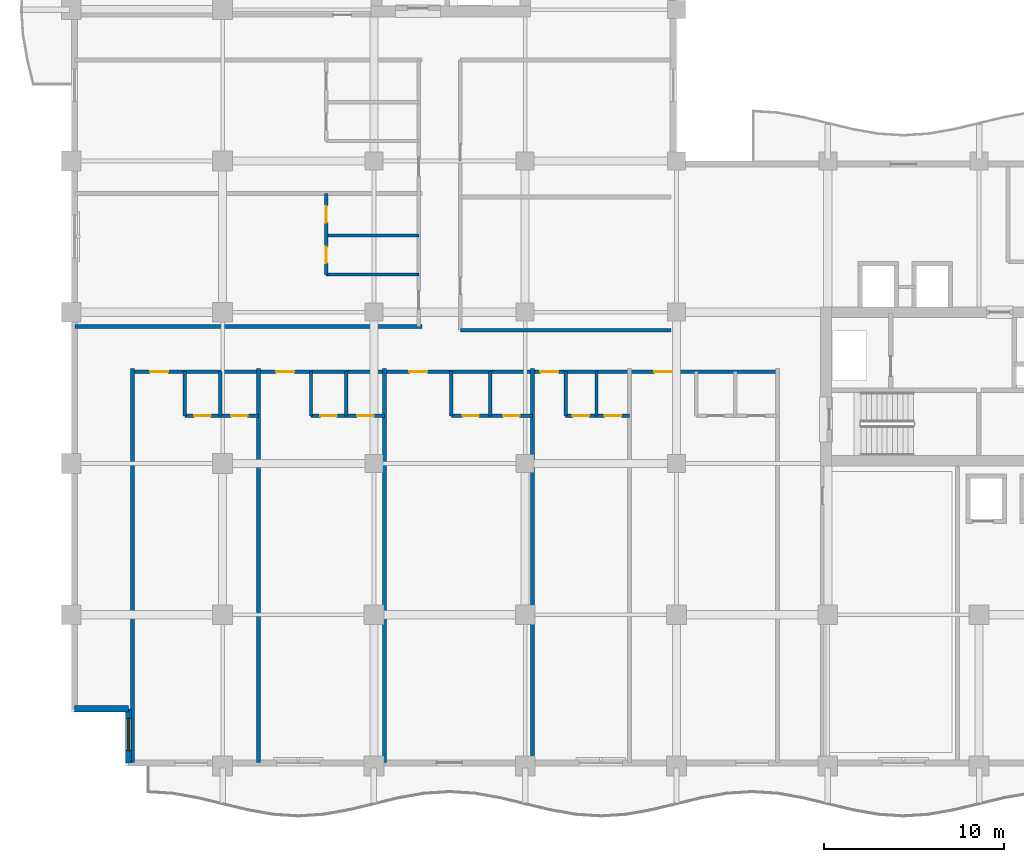
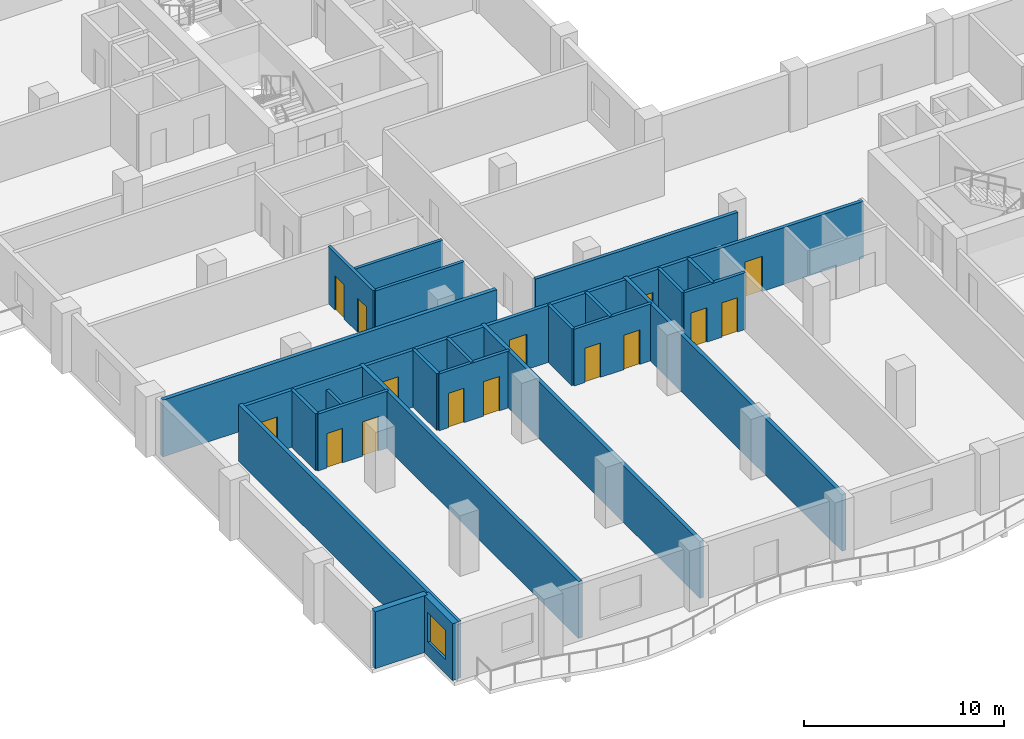
# One storey, part 9 of 21: 24 walls, 15 doors, 1 window, 16 openings.
"""IFC4 building model written with IfcOpenShell, lengths in metres."""

from ifc_helpers import new_model, si_unit, direction, frame, frame_2d, origin, place, context, subcontext, project, spatial, rectangle, extrude, material, layer, layer_set, type_object, element, fill, save


model = new_model("IFC4")

# Units and contexts
model_context = context("Model", 3, precision=1e-05, world=origin(), true_north=direction((0.0, 1.0)))
body_context = subcontext(model_context, "Body", "Model", "MODEL_VIEW")
ifc_project = project(units=[si_unit("LENGTHUNIT", "METRE"), si_unit("AREAUNIT", "SQUARE_METRE"), si_unit("VOLUMEUNIT", "CUBIC_METRE"), si_unit("PLANEANGLEUNIT", "RADIAN"), si_unit("MASSUNIT", "GRAM", prefix="KILO")], contexts=[model_context])

# Site, building, storey
site_placement = place(None, origin())
site = spatial("IfcSite", under=ifc_project, at=site_placement, CompositionType="ELEMENT")
building_placement = place(site_placement, origin())
building = spatial("IfcBuilding", under=site, at=building_placement, Name="Koriwani Terraces Tower", CompositionType="ELEMENT")
storey_placement = place(building_placement, frame((0.0, 0.0, 197.60009765625)))
storey = spatial("IfcBuildingStorey", under=building, at=storey_placement, Name="L48", CompositionType="ELEMENT", Elevation=197.60009765625)

# Wall
ifc_material_1 = material(Name="Autoclaved Cellular Concrete Blockwork", Category="masonry")
ifc_layer_1 = layer(ifc_material_1, 0.199951171875, Name="Autoclaved Cellular Concrete Blockwork")
ifc_layer_set_1 = layer_set([ifc_layer_1], Name="Autoclaved Cellular Concrete Blockwork")
wall_type_1 = type_object("IfcWallType", Name="WALL_CORRIDOR_200", PredefinedType="PARTITIONING", material=ifc_layer_set_1)
wall_1_placement = place(storey_placement, frame((21.60009765625, 24.199951171875, 0.0), z_axis=(0.0, 0.0, 1.0), x_axis=(1.0, 0.0, 0.0)))
element("IfcWall", 1, at=wall_1_placement, inside=storey, type_object=wall_type_1, Name="L48 Interior Wall WIC2-S-L48", PredefinedType="PARTITIONING", context=body_context, shape_type="SweptSolid", body=[
    extrude(rectangle(XDim=11.699951171875, YDim=0.199951171875, at=frame_2d((5.85009765625, 0.0))), origin(), (0.0, 0.0, 1.0), 3.469970703125),
])

# Wall, openings, doors
wall_2_placement = place(storey_placement, frame((3.39990234375, 21.89990234375, 0.0), z_axis=(0.0, 0.0, 1.0), x_axis=(1.0, 0.0, 0.0)))
wall_2 = element("IfcWall", 2, at=wall_2_placement, inside=storey, type_object=wall_type_1, Name="L48 Interior Wall WRCOR-L48-SW-0", PredefinedType="PARTITIONING", context=body_context, shape_type="SweptSolid", body=[
    extrude(rectangle(XDim=35.800048828125, YDim=0.199951171875, at=frame_2d((17.89990234375, 0.0))), origin(), (0.0, 0.0, 1.0), 3.469970703125),
])
opening_1_placement = place(wall_2_placement, frame((0.969970703125, 0.0, 0.0)))
opening_1 = element("IfcOpeningElement", 3, at=opening_1_placement, cuts=wall_2, Name="Opening D-05", PredefinedType="OPENING", context=body_context, shape_type="SweptSolid", body=[
    extrude(rectangle(XDim=1.0, YDim=2.14990234375, at=frame_2d((0.5, 1.074951171875))), frame((0.0, 0.10986328125, 0.0), z_axis=(0.0, -1.0, 0.0), x_axis=(1.0, 0.0, 0.0)), (0.0, 0.0, 1.0), 0.219970703125),
])
opening_2_placement = place(wall_2_placement, frame((7.969970703125, 0.0, 0.0)))
opening_2 = element("IfcOpeningElement", 4, at=opening_2_placement, cuts=wall_2, Name="Opening D-05", PredefinedType="OPENING", context=body_context, shape_type="SweptSolid", body=[
    extrude(rectangle(XDim=1.0, YDim=2.14990234375, at=frame_2d((0.5, 1.074951171875))), frame((0.0, 0.10986328125, 0.0), z_axis=(0.0, -1.0, 0.0), x_axis=(1.0, 0.0, 0.0)), (0.0, 0.0, 1.0), 0.219970703125),
])
opening_3_placement = place(wall_2_placement, frame((15.3701171875, 0.0, 0.0)))
opening_3 = element("IfcOpeningElement", 5, at=opening_3_placement, cuts=wall_2, Name="Opening D-05", PredefinedType="OPENING", context=body_context, shape_type="SweptSolid", body=[
    extrude(rectangle(XDim=1.0, YDim=2.14990234375, at=frame_2d((0.5, 1.074951171875))), frame((0.0, 0.10986328125, 0.0), z_axis=(0.0, -1.0, 0.0), x_axis=(1.0, 0.0, 0.0)), (0.0, 0.0, 1.0), 0.219970703125),
])
opening_4_placement = place(wall_2_placement, frame((22.64501953125, 0.0, 0.0)))
opening_4 = element("IfcOpeningElement", 6, at=opening_4_placement, cuts=wall_2, Name="Opening D-05", PredefinedType="OPENING", context=body_context, shape_type="SweptSolid", body=[
    extrude(rectangle(XDim=1.0, YDim=2.14990234375, at=frame_2d((0.5, 1.074951171875))), frame((0.0, 0.10986328125, 0.0), z_axis=(0.0, -1.0, 0.0), x_axis=(1.0, 0.0, 0.0)), (0.0, 0.0, 1.0), 0.219970703125),
])
opening_5_placement = place(wall_2_placement, frame((28.969970703125, 0.0, 0.0)))
opening_5 = element("IfcOpeningElement", 7, at=opening_5_placement, cuts=wall_2, Name="Opening D-05", PredefinedType="OPENING", context=body_context, shape_type="SweptSolid", body=[
    extrude(rectangle(XDim=1.0, YDim=2.14990234375, at=frame_2d((0.5, 1.074951171875))), frame((0.0, 0.10986328125, 0.0), z_axis=(0.0, -1.0, 0.0), x_axis=(1.0, 0.0, 0.0)), (0.0, 0.0, 1.0), 0.219970703125),
])
ifc_material_2 = material(Name="Architectural Oak Fire Door", Category="wood")
door_type_1 = type_object("IfcDoorType", Name="DOOR_SUITE_ENTRY_1000X2150", OperationType="NOTDEFINED", PredefinedType="DOOR", material=ifc_material_2)
door_1_placement = place(opening_1_placement, origin())
door_1 = element("IfcDoor", 8, at=door_1_placement, inside=storey, type_object=door_type_1, Name="Apartment 48SW1 Entrance Door", OperationType="SINGLE_SWING_RIGHT", OverallHeight=2.14990234375, OverallWidth=1.0, PredefinedType="DOOR", context=body_context, shape_type="SweptSolid", body=[
    extrude(rectangle(XDim=1.0, YDim=2.14990234375, at=frame_2d((0.5, 1.074951171875))), frame((0.0, 0.02490234375, 0.0), z_axis=(0.0, -1.0, 0.0), x_axis=(1.0, 0.0, 0.0)), (0.0, 0.0, 1.0), 0.050048828125),
])
fill(opening_1, door_1)
door_2_placement = place(opening_2_placement, origin())
door_2 = element("IfcDoor", 9, at=door_2_placement, inside=storey, type_object=door_type_1, Name="Apartment 48SW2 Entrance Door", OperationType="SINGLE_SWING_LEFT", OverallHeight=2.14990234375, OverallWidth=1.0, PredefinedType="DOOR", context=body_context, shape_type="SweptSolid", body=[
    extrude(rectangle(XDim=1.0, YDim=2.14990234375, at=frame_2d((0.5, 1.074951171875))), frame((0.0, 0.02490234375, 0.0), z_axis=(0.0, -1.0, 0.0), x_axis=(1.0, 0.0, 0.0)), (0.0, 0.0, 1.0), 0.050048828125),
])
fill(opening_2, door_2)
door_3_placement = place(opening_3_placement, origin())
door_3 = element("IfcDoor", 10, at=door_3_placement, inside=storey, type_object=door_type_1, Name="Apartment 48SW3 Entrance Door", OperationType="SINGLE_SWING_RIGHT", OverallHeight=2.14990234375, OverallWidth=1.0, PredefinedType="DOOR", context=body_context, shape_type="SweptSolid", body=[
    extrude(rectangle(XDim=1.0, YDim=2.14990234375, at=frame_2d((0.5, 1.074951171875))), frame((0.0, 0.02490234375, 0.0), z_axis=(0.0, -1.0, 0.0), x_axis=(1.0, 0.0, 0.0)), (0.0, 0.0, 1.0), 0.050048828125),
])
fill(opening_3, door_3)
door_4_placement = place(opening_4_placement, origin())
door_4 = element("IfcDoor", 11, at=door_4_placement, inside=storey, type_object=door_type_1, Name="Apartment 48SW4 Entrance Door", OperationType="SINGLE_SWING_LEFT", OverallHeight=2.14990234375, OverallWidth=1.0, PredefinedType="DOOR", context=body_context, shape_type="SweptSolid", body=[
    extrude(rectangle(XDim=1.0, YDim=2.14990234375, at=frame_2d((0.5, 1.074951171875))), frame((0.0, 0.02490234375, 0.0), z_axis=(0.0, -1.0, 0.0), x_axis=(1.0, 0.0, 0.0)), (0.0, 0.0, 1.0), 0.050048828125),
])
fill(opening_4, door_4)
door_5_placement = place(opening_5_placement, origin())
door_5 = element("IfcDoor", 12, at=door_5_placement, inside=storey, type_object=door_type_1, Name="Apartment 48SW5 Entrance Door", OperationType="SINGLE_SWING_RIGHT", OverallHeight=2.14990234375, OverallWidth=1.0, PredefinedType="DOOR", context=body_context, shape_type="SweptSolid", body=[
    extrude(rectangle(XDim=1.0, YDim=2.14990234375, at=frame_2d((0.5, 1.074951171875))), frame((0.0, 0.02490234375, 0.0), z_axis=(0.0, -1.0, 0.0), x_axis=(1.0, 0.0, 0.0)), (0.0, 0.0, 1.0), 0.050048828125),
])
fill(opening_5, door_5)

# Walls
ifc_layer_2 = layer(ifc_material_1, 0.219970703125, Name="Autoclaved Cellular Concrete Blockwork")
ifc_layer_set_2 = layer_set([ifc_layer_2], Name="Autoclaved Cellular Concrete Blockwork")
wall_type_2 = type_object("IfcWallType", Name="WALL_DEMISING_220", PredefinedType="PARTITIONING", material=ifc_layer_set_2)
for number, where, z_axis, x_axis, name in (
    (13, (3.39990234375, 0.199951171875, 0.0), (0.0, 0.0, 1.0), (0.0, 1.0, 0.0), "L48 Interior Wall WRDEM-L48-SW-0"),
    (14, (10.39990234375, 0.199951171875, 0.0), (0.0, 0.0, 1.0), (0.0, 1.0, 0.0), "L48 Interior Wall WRDEM-L48-SW-1"),
    (15, (17.39990234375, 0.199951171875, 0.0), (0.0, 0.0, 1.0), (0.0, 1.0, 0.0), "L48 Interior Wall WRDEM-L48-SW-2"),
    (16, (25.60009765625, 0.199951171875, 0.0), (0.0, 0.0, 1.0), (0.0, 1.0, 0.0), "L48 Interior Wall WRDEM-L48-SW-3"),
):
    element("IfcWall", number, at=place(storey_placement, frame(where, z_axis=z_axis, x_axis=x_axis)), inside=storey, type_object=wall_type_2, Name=name, PredefinedType="PARTITIONING", context=body_context, shape_type="SweptSolid", body=[
        extrude(rectangle(XDim=21.880126953125, YDim=0.219970703125, at=frame_2d((10.93994140625, 0.0))), origin(), (0.0, 0.0, 1.0), 3.469970703125),
    ])
wall_3_placement = place(storey_placement, frame((0.199951171875, 24.39990234375, 0.0), z_axis=(0.0, 0.0, 1.0), x_axis=(1.0, 0.0, 0.0)))
element("IfcWall", 17, at=wall_3_placement, inside=storey, type_object=wall_type_2, Name="L48 Interior Wall WRDEM-L48-NW-0", PredefinedType="PARTITIONING", context=body_context, shape_type="SweptSolid", body=[
    extrude(rectangle(XDim=19.280029296875, YDim=0.219970703125, at=frame_2d((9.64013671875, 0.0))), origin(), (0.0, 0.0, 1.0), 3.469970703125),
])

# Wall, opening, window
ifc_material_3 = material(Name="Concrete C50/60", Category="concrete")
ifc_layer_3 = layer(ifc_material_3, 0.35009765625, Name="Concrete C50/60")
ifc_layer_set_3 = layer_set([ifc_layer_3], Name="Concrete C50/60")
wall_type_3 = type_object("IfcWallType", Name="WALL_EXT_BRUTALIST_350", PredefinedType="STANDARD", material=ifc_layer_set_3)
wall_4_placement = place(storey_placement, frame((3.175048828125, 0.175048828125, 0.0), z_axis=(0.0, 0.0, 1.0), x_axis=(0.0, 1.0, 0.0)))
wall_4 = element("IfcWall", 18, at=wall_4_placement, inside=storey, type_object=wall_type_3, Name="L48 Fair-Faced Brutalist Exterior Wall (N0)", PredefinedType="STANDARD", context=body_context, shape_type="SweptSolid", body=[
    extrude(rectangle(XDim=3.0, YDim=0.35009765625, at=frame_2d((1.5, 0.0))), origin(), (0.0, 0.0, 1.0), 3.469970703125),
])
opening_6_placement = place(wall_4_placement, frame((0.677490234375, 0.0, 0.85009765625)))
opening_6 = element("IfcOpeningElement", 19, at=opening_6_placement, cuts=wall_4, Name="Opening W-04", PredefinedType="OPENING", context=body_context, shape_type="SweptSolid", body=[
    extrude(rectangle(XDim=1.800048828125, YDim=1.800048828125, at=frame_2d((0.89990234375, 0.89990234375))), frame((0.0, 0.18505859375, 0.0), z_axis=(0.0, -1.0, 0.0), x_axis=(1.0, 0.0, 0.0)), (0.0, 0.0, 1.0), 0.3701171875),
])
ifc_material_4 = material(Name="Tempered Laminated Low-E Glass", Category="glass")
window_type = type_object("IfcWindowType", Name="WIN_RES_BED_1800X1800", PartitioningType="DOUBLE_PANEL_VERTICAL", PredefinedType="WINDOW", material=ifc_material_4)
window_placement = place(opening_6_placement, origin())
window = element("IfcWindow", 20, at=window_placement, inside=storey, type_object=window_type, Name="L48 Exterior Window (N0-R33)", OverallHeight=1.800048828125, OverallWidth=1.800048828125, PartitioningType="SINGLE_PANEL", PredefinedType="WINDOW", context=body_context, shape_type="SweptSolid", body=[
    extrude(rectangle(XDim=1.800048828125, YDim=1.800048828125, at=frame_2d((0.89990234375, 0.89990234375))), frame((0.0, 0.030029296875, 0.0), z_axis=(0.0, -1.0, 0.0), x_axis=(1.0, 0.0, 0.0)), (0.0, 0.0, 1.0), 0.06005859375),
])
fill(opening_6, window)

# Wall
wall_5_placement = place(storey_placement, frame((3.175048828125, 3.175048828125, 0.0), z_axis=(0.0, 0.0, 1.0), x_axis=(-1.0, 0.0, 0.0)))
element("IfcWall", 21, at=wall_5_placement, inside=storey, type_object=wall_type_3, Name="L48 Fair-Faced Brutalist Exterior Wall (N1)", PredefinedType="STANDARD", context=body_context, shape_type="SweptSolid", body=[
    extrude(rectangle(XDim=3.0, YDim=0.35009765625, at=frame_2d((1.5, 0.0))), origin(), (0.0, 0.0, 1.0), 3.469970703125),
])

# Wall, openings, doors
ifc_material_5 = material(Name="Fire-Rated Acoustic Gypsum Partition", Category="masonry")
ifc_layer_4 = layer(ifc_material_5, 0.179931640625, Name="Fire-Rated Acoustic Gypsum Partition")
ifc_layer_set_4 = layer_set([ifc_layer_4], Name="Fire-Rated Acoustic Gypsum Partition")
wall_type_4 = type_object("IfcWallType", Name="WALL_PLUMBING_180", PredefinedType="PLUMBINGWALL", material=ifc_layer_set_4)
wall_6_placement = place(storey_placement, frame((6.300048828125, 19.449951171875, 0.0), z_axis=(0.0, 0.0, 1.0), x_axis=(1.0, 0.0, 0.0)))
wall_6 = element("IfcWall", 22, at=wall_6_placement, inside=storey, type_object=wall_type_4, Name="L48 Interior Wall WRSVC-L48-SW-0", PredefinedType="PLUMBINGWALL", context=body_context, shape_type="SweptSolid", body=[
    extrude(rectangle(XDim=4.099853515625, YDim=0.179931640625, at=frame_2d((2.0498046875, 0.0))), origin(), (0.0, 0.0, 1.0), 3.469970703125),
])
opening_7_placement = place(wall_6_placement, frame((0.533935546875, 0.0, 0.0)))
opening_7 = element("IfcOpeningElement", 23, at=opening_7_placement, cuts=wall_6, Name="Opening D-07", PredefinedType="OPENING", context=body_context, shape_type="SweptSolid", body=[
    extrude(rectangle(XDim=0.89990234375, YDim=2.10009765625, at=frame_2d((0.449951171875, 1.050048828125))), frame((0.0, 0.10009765625, 0.0), z_axis=(0.0, -1.0, 0.0), x_axis=(1.0, 0.0, 0.0)), (0.0, 0.0, 1.0), 0.199951171875),
])
opening_8_placement = place(wall_6_placement, frame((2.573974609375, 0.0, 0.0)))
opening_8 = element("IfcOpeningElement", 24, at=opening_8_placement, cuts=wall_6, Name="Opening D-06", PredefinedType="OPENING", context=body_context, shape_type="SweptSolid", body=[
    extrude(rectangle(XDim=0.919921875, YDim=2.10009765625, at=frame_2d((0.4599609375, 1.050048828125))), frame((0.0, 0.10009765625, 0.0), z_axis=(0.0, -1.0, 0.0), x_axis=(1.0, 0.0, 0.0)), (0.0, 0.0, 1.0), 0.199951171875),
])
door_type_2 = type_object("IfcDoorType", Name="DOOR_BATH_INT_900X2100", OperationType="NOTDEFINED", PredefinedType="DOOR", material=ifc_material_2)
door_6_placement = place(opening_7_placement, origin())
door_6 = element("IfcDoor", 25, at=door_6_placement, inside=storey, type_object=door_type_2, Name="Apartment 48SW1 Bathroom Door", OperationType="SINGLE_SWING_LEFT", OverallHeight=2.10009765625, OverallWidth=0.89990234375, PredefinedType="DOOR", context=body_context, shape_type="SweptSolid", body=[
    extrude(rectangle(XDim=0.89990234375, YDim=2.10009765625, at=frame_2d((0.449951171875, 1.050048828125))), frame((0.0, 0.02490234375, 0.0), z_axis=(0.0, -1.0, 0.0), x_axis=(1.0, 0.0, 0.0)), (0.0, 0.0, 1.0), 0.050048828125),
])
fill(opening_7, door_6)
door_type_3 = type_object("IfcDoorType", Name="DOOR_ROOM_INT_920X2100", OperationType="NOTDEFINED", PredefinedType="DOOR", material=ifc_material_2)
door_7_placement = place(opening_8_placement, origin())
door_7 = element("IfcDoor", 26, at=door_7_placement, inside=storey, type_object=door_type_3, Name="Apartment 48SW1 Kitchen Door", OperationType="SINGLE_SWING_RIGHT", OverallHeight=2.10009765625, OverallWidth=0.919921875, PredefinedType="DOOR", context=body_context, shape_type="SweptSolid", body=[
    extrude(rectangle(XDim=0.919921875, YDim=2.10009765625, at=frame_2d((0.4599609375, 1.050048828125))), frame((0.0, 0.02490234375, 0.0), z_axis=(0.0, -1.0, 0.0), x_axis=(1.0, 0.0, 0.0)), (0.0, 0.0, 1.0), 0.050048828125),
])
fill(opening_8, door_7)

# Walls
wall_7_placement = place(storey_placement, frame((6.300048828125, 19.449951171875, 0.0), z_axis=(0.0, 0.0, 1.0), x_axis=(0.0, 1.0, 0.0)))
element("IfcWall", 27, at=wall_7_placement, inside=storey, type_object=wall_type_4, Name="L48 Interior Wall WRSVCS-L48-SW-0", PredefinedType="PLUMBINGWALL", context=body_context, shape_type="SweptSolid", body=[
    extrude(rectangle(XDim=2.449951171875, YDim=0.179931640625, at=frame_2d((1.22509765625, 0.0))), origin(), (0.0, 0.0, 1.0), 3.469970703125),
])
wall_8_placement = place(storey_placement, frame((8.26806640625, 19.449951171875, 0.0), z_axis=(0.0, 0.0, 1.0), x_axis=(0.0, 1.0, 0.0)))
element("IfcWall", 28, at=wall_8_placement, inside=storey, type_object=wall_type_4, Name="L48 Interior Wall WRSVCM-L48-SW-0", PredefinedType="PLUMBINGWALL", context=body_context, shape_type="SweptSolid", body=[
    extrude(rectangle(XDim=2.449951171875, YDim=0.179931640625, at=frame_2d((1.22509765625, 0.0))), origin(), (0.0, 0.0, 1.0), 2.81982421875),
])

# Wall, openings, doors
wall_9_placement = place(storey_placement, frame((13.300048828125, 19.449951171875, 0.0), z_axis=(0.0, 0.0, 1.0), x_axis=(1.0, 0.0, 0.0)))
wall_9 = element("IfcWall", 29, at=wall_9_placement, inside=storey, type_object=wall_type_4, Name="L48 Interior Wall WRSVC-L48-SW-1", PredefinedType="PLUMBINGWALL", context=body_context, shape_type="SweptSolid", body=[
    extrude(rectangle(XDim=4.099853515625, YDim=0.179931640625, at=frame_2d((2.0498046875, 0.0))), origin(), (0.0, 0.0, 1.0), 3.469970703125),
])
opening_9_placement = place(wall_9_placement, frame((0.533935546875, 0.0, 0.0)))
opening_9 = element("IfcOpeningElement", 30, at=opening_9_placement, cuts=wall_9, Name="Opening D-07", PredefinedType="OPENING", context=body_context, shape_type="SweptSolid", body=[
    extrude(rectangle(XDim=0.89990234375, YDim=2.10009765625, at=frame_2d((0.449951171875, 1.050048828125))), frame((0.0, 0.10009765625, 0.0), z_axis=(0.0, -1.0, 0.0), x_axis=(1.0, 0.0, 0.0)), (0.0, 0.0, 1.0), 0.199951171875),
])
opening_10_placement = place(wall_9_placement, frame((2.573974609375, 0.0, 0.0)))
opening_10 = element("IfcOpeningElement", 31, at=opening_10_placement, cuts=wall_9, Name="Opening D-06", PredefinedType="OPENING", context=body_context, shape_type="SweptSolid", body=[
    extrude(rectangle(XDim=0.919921875, YDim=2.10009765625, at=frame_2d((0.4599609375, 1.050048828125))), frame((0.0, 0.10009765625, 0.0), z_axis=(0.0, -1.0, 0.0), x_axis=(1.0, 0.0, 0.0)), (0.0, 0.0, 1.0), 0.199951171875),
])
door_8_placement = place(opening_9_placement, origin())
door_8 = element("IfcDoor", 32, at=door_8_placement, inside=storey, type_object=door_type_2, Name="Apartment 48SW2 Bathroom Door", OperationType="SINGLE_SWING_RIGHT", OverallHeight=2.10009765625, OverallWidth=0.89990234375, PredefinedType="DOOR", context=body_context, shape_type="SweptSolid", body=[
    extrude(rectangle(XDim=0.89990234375, YDim=2.10009765625, at=frame_2d((0.449951171875, 1.050048828125))), frame((0.0, 0.02490234375, 0.0), z_axis=(0.0, -1.0, 0.0), x_axis=(1.0, 0.0, 0.0)), (0.0, 0.0, 1.0), 0.050048828125),
])
fill(opening_9, door_8)
door_9_placement = place(opening_10_placement, origin())
door_9 = element("IfcDoor", 33, at=door_9_placement, inside=storey, type_object=door_type_3, Name="Apartment 48SW2 Kitchen Door", OperationType="SINGLE_SWING_LEFT", OverallHeight=2.10009765625, OverallWidth=0.919921875, PredefinedType="DOOR", context=body_context, shape_type="SweptSolid", body=[
    extrude(rectangle(XDim=0.919921875, YDim=2.10009765625, at=frame_2d((0.4599609375, 1.050048828125))), frame((0.0, 0.02490234375, 0.0), z_axis=(0.0, -1.0, 0.0), x_axis=(1.0, 0.0, 0.0)), (0.0, 0.0, 1.0), 0.050048828125),
])
fill(opening_10, door_9)

# Walls
for number, where, z_axis, x_axis, name in (
    (34, (13.300048828125, 19.449951171875, 0.0), (0.0, 0.0, 1.0), (0.0, 1.0, 0.0), "L48 Interior Wall WRSVCS-L48-SW-1"),
    (35, (15.26806640625, 19.449951171875, 0.0), (0.0, 0.0, 1.0), (0.0, 1.0, 0.0), "L48 Interior Wall WRSVCM-L48-SW-1"),
):
    element("IfcWall", number, at=place(storey_placement, frame(where, z_axis=z_axis, x_axis=x_axis)), inside=storey, type_object=wall_type_4, Name=name, PredefinedType="PLUMBINGWALL", context=body_context, shape_type="SweptSolid", body=[
        extrude(rectangle(XDim=2.449951171875, YDim=0.179931640625, at=frame_2d((1.22509765625, 0.0))), origin(), (0.0, 0.0, 1.0), 3.469970703125),
    ])

# Wall, openings, doors
wall_10_placement = place(storey_placement, frame((21.10009765625, 19.449951171875, 0.0), z_axis=(0.0, 0.0, 1.0), x_axis=(1.0, 0.0, 0.0)))
wall_10 = element("IfcWall", 36, at=wall_10_placement, inside=storey, type_object=wall_type_4, Name="L48 Interior Wall WRSVC-L48-SW-2", PredefinedType="PLUMBINGWALL", context=body_context, shape_type="SweptSolid", body=[
    extrude(rectangle(XDim=4.5, YDim=0.179931640625, at=frame_2d((2.25, 0.0))), origin(), (0.0, 0.0, 1.0), 3.469970703125),
])
opening_11_placement = place(wall_10_placement, frame((0.6298828125, 0.0, 0.0)))
opening_11 = element("IfcOpeningElement", 37, at=opening_11_placement, cuts=wall_10, Name="Opening D-07", PredefinedType="OPENING", context=body_context, shape_type="SweptSolid", body=[
    extrude(rectangle(XDim=0.89990234375, YDim=2.10009765625, at=frame_2d((0.449951171875, 1.050048828125))), frame((0.0, 0.10009765625, 0.0), z_axis=(0.0, -1.0, 0.0), x_axis=(1.0, 0.0, 0.0)), (0.0, 0.0, 1.0), 0.199951171875),
])
opening_12_placement = place(wall_10_placement, frame((2.8701171875, 0.0, 0.0)))
opening_12 = element("IfcOpeningElement", 38, at=opening_12_placement, cuts=wall_10, Name="Opening D-06", PredefinedType="OPENING", context=body_context, shape_type="SweptSolid", body=[
    extrude(rectangle(XDim=0.919921875, YDim=2.10009765625, at=frame_2d((0.4599609375, 1.050048828125))), frame((0.0, 0.10009765625, 0.0), z_axis=(0.0, -1.0, 0.0), x_axis=(1.0, 0.0, 0.0)), (0.0, 0.0, 1.0), 0.199951171875),
])
door_10_placement = place(opening_11_placement, origin())
door_10 = element("IfcDoor", 39, at=door_10_placement, inside=storey, type_object=door_type_2, Name="Apartment 48SW3 Bathroom Door", OperationType="SINGLE_SWING_LEFT", OverallHeight=2.10009765625, OverallWidth=0.89990234375, PredefinedType="DOOR", context=body_context, shape_type="SweptSolid", body=[
    extrude(rectangle(XDim=0.89990234375, YDim=2.10009765625, at=frame_2d((0.449951171875, 1.050048828125))), frame((0.0, 0.02490234375, 0.0), z_axis=(0.0, -1.0, 0.0), x_axis=(1.0, 0.0, 0.0)), (0.0, 0.0, 1.0), 0.050048828125),
])
fill(opening_11, door_10)
door_11_placement = place(opening_12_placement, origin())
door_11 = element("IfcDoor", 40, at=door_11_placement, inside=storey, type_object=door_type_3, Name="Apartment 48SW3 Kitchen Door", OperationType="SINGLE_SWING_RIGHT", OverallHeight=2.10009765625, OverallWidth=0.919921875, PredefinedType="DOOR", context=body_context, shape_type="SweptSolid", body=[
    extrude(rectangle(XDim=0.919921875, YDim=2.10009765625, at=frame_2d((0.4599609375, 1.050048828125))), frame((0.0, 0.02490234375, 0.0), z_axis=(0.0, -1.0, 0.0), x_axis=(1.0, 0.0, 0.0)), (0.0, 0.0, 1.0), 0.050048828125),
])
fill(opening_12, door_11)

# Walls
for number, where, z_axis, x_axis, name in (
    (41, (21.10009765625, 19.449951171875, 0.0), (0.0, 0.0, 1.0), (0.0, 1.0, 0.0), "L48 Interior Wall WRSVCS-L48-SW-2"),
    (42, (23.260009765625, 19.449951171875, 0.0), (0.0, 0.0, 1.0), (0.0, 1.0, 0.0), "L48 Interior Wall WRSVCM-L48-SW-2"),
):
    element("IfcWall", number, at=place(storey_placement, frame(where, z_axis=z_axis, x_axis=x_axis)), inside=storey, type_object=wall_type_4, Name=name, PredefinedType="PLUMBINGWALL", context=body_context, shape_type="SweptSolid", body=[
        extrude(rectangle(XDim=2.449951171875, YDim=0.179931640625, at=frame_2d((1.22509765625, 0.0))), origin(), (0.0, 0.0, 1.0), 3.469970703125),
    ])

# Wall, openings, doors
wall_11_placement = place(storey_placement, frame((27.449951171875, 19.449951171875, 0.0), z_axis=(0.0, 0.0, 1.0), x_axis=(1.0, 0.0, 0.0)))
wall_11 = element("IfcWall", 43, at=wall_11_placement, inside=storey, type_object=wall_type_4, Name="L48 Interior Wall WRSVC-L48-SW-3", PredefinedType="PLUMBINGWALL", context=body_context, shape_type="SweptSolid", body=[
    extrude(rectangle(XDim=3.550048828125, YDim=0.179931640625, at=frame_2d((1.77490234375, 0.0))), origin(), (0.0, 0.0, 1.0), 3.469970703125),
])
opening_13_placement = place(wall_11_placement, frame((0.402099609375, 0.0, 0.0)))
opening_13 = element("IfcOpeningElement", 44, at=opening_13_placement, cuts=wall_11, Name="Opening D-07", PredefinedType="OPENING", context=body_context, shape_type="SweptSolid", body=[
    extrude(rectangle(XDim=0.89990234375, YDim=2.10009765625, at=frame_2d((0.449951171875, 1.050048828125))), frame((0.0, 0.10009765625, 0.0), z_axis=(0.0, -1.0, 0.0), x_axis=(1.0, 0.0, 0.0)), (0.0, 0.0, 1.0), 0.199951171875),
])
opening_14_placement = place(wall_11_placement, frame((2.1669921875, 0.0, 0.0)))
opening_14 = element("IfcOpeningElement", 45, at=opening_14_placement, cuts=wall_11, Name="Opening D-06", PredefinedType="OPENING", context=body_context, shape_type="SweptSolid", body=[
    extrude(rectangle(XDim=0.919921875, YDim=2.10009765625, at=frame_2d((0.4599609375, 1.050048828125))), frame((0.0, 0.10009765625, 0.0), z_axis=(0.0, -1.0, 0.0), x_axis=(1.0, 0.0, 0.0)), (0.0, 0.0, 1.0), 0.199951171875),
])
door_12_placement = place(opening_13_placement, origin())
door_12 = element("IfcDoor", 46, at=door_12_placement, inside=storey, type_object=door_type_2, Name="Apartment 48SW4 Bathroom Door", OperationType="SINGLE_SWING_RIGHT", OverallHeight=2.10009765625, OverallWidth=0.89990234375, PredefinedType="DOOR", context=body_context, shape_type="SweptSolid", body=[
    extrude(rectangle(XDim=0.89990234375, YDim=2.10009765625, at=frame_2d((0.449951171875, 1.050048828125))), frame((0.0, 0.02490234375, 0.0), z_axis=(0.0, -1.0, 0.0), x_axis=(1.0, 0.0, 0.0)), (0.0, 0.0, 1.0), 0.050048828125),
])
fill(opening_13, door_12)
door_13_placement = place(opening_14_placement, origin())
door_13 = element("IfcDoor", 47, at=door_13_placement, inside=storey, type_object=door_type_3, Name="Apartment 48SW4 Kitchen Door", OperationType="SINGLE_SWING_LEFT", OverallHeight=2.10009765625, OverallWidth=0.919921875, PredefinedType="DOOR", context=body_context, shape_type="SweptSolid", body=[
    extrude(rectangle(XDim=0.919921875, YDim=2.10009765625, at=frame_2d((0.4599609375, 1.050048828125))), frame((0.0, 0.02490234375, 0.0), z_axis=(0.0, -1.0, 0.0), x_axis=(1.0, 0.0, 0.0)), (0.0, 0.0, 1.0), 0.050048828125),
])
fill(opening_14, door_13)

# Walls
for number, where, z_axis, x_axis, name in (
    (48, (27.449951171875, 19.449951171875, 0.0), (0.0, 0.0, 1.0), (0.0, 1.0, 0.0), "L48 Interior Wall WRSVCS-L48-SW-3"),
    (49, (29.154052734375, 19.449951171875, 0.0), (0.0, 0.0, 1.0), (0.0, 1.0, 0.0), "L48 Interior Wall WRSVCM-L48-SW-3"),
):
    element("IfcWall", number, at=place(storey_placement, frame(where, z_axis=z_axis, x_axis=x_axis)), inside=storey, type_object=wall_type_4, Name=name, PredefinedType="PLUMBINGWALL", context=body_context, shape_type="SweptSolid", body=[
        extrude(rectangle(XDim=2.449951171875, YDim=0.179931640625, at=frame_2d((1.22509765625, 0.0))), origin(), (0.0, 0.0, 1.0), 3.469970703125),
    ])

# Wall, openings, doors
wall_12_placement = place(storey_placement, frame((14.14990234375, 27.300048828125, 0.0), z_axis=(0.0, 0.0, 1.0), x_axis=(0.0, 1.0, 0.0)))
wall_12 = element("IfcWall", 50, at=wall_12_placement, inside=storey, type_object=wall_type_4, Name="L48 Interior Wall WRSVC-L48-NW-0", PredefinedType="PLUMBINGWALL", context=body_context, shape_type="SweptSolid", body=[
    extrude(rectangle(XDim=4.5, YDim=0.179931640625, at=frame_2d((2.25, 0.0))), origin(), (0.0, 0.0, 1.0), 3.469970703125),
])
opening_15_placement = place(wall_12_placement, frame((0.6298828125, 0.0, 0.0)))
opening_15 = element("IfcOpeningElement", 51, at=opening_15_placement, cuts=wall_12, Name="Opening D-07", PredefinedType="OPENING", context=body_context, shape_type="SweptSolid", body=[
    extrude(rectangle(XDim=0.89990234375, YDim=2.10009765625, at=frame_2d((0.449951171875, 1.050048828125))), frame((0.0, 0.10009765625, 0.0), z_axis=(0.0, -1.0, 0.0), x_axis=(1.0, 0.0, 0.0)), (0.0, 0.0, 1.0), 0.199951171875),
])
opening_16_placement = place(wall_12_placement, frame((2.8701171875, 0.0, 0.0)))
opening_16 = element("IfcOpeningElement", 52, at=opening_16_placement, cuts=wall_12, Name="Opening D-06", PredefinedType="OPENING", context=body_context, shape_type="SweptSolid", body=[
    extrude(rectangle(XDim=0.919921875, YDim=2.10009765625, at=frame_2d((0.4599609375, 1.050048828125))), frame((0.0, 0.10009765625, 0.0), z_axis=(0.0, -1.0, 0.0), x_axis=(1.0, 0.0, 0.0)), (0.0, 0.0, 1.0), 0.199951171875),
])
door_14_placement = place(opening_15_placement, origin())
door_14 = element("IfcDoor", 53, at=door_14_placement, inside=storey, type_object=door_type_2, Name="Apartment 48NW1 Bathroom Door", OperationType="SINGLE_SWING_RIGHT", OverallHeight=2.10009765625, OverallWidth=0.89990234375, PredefinedType="DOOR", context=body_context, shape_type="SweptSolid", body=[
    extrude(rectangle(XDim=0.89990234375, YDim=2.10009765625, at=frame_2d((0.449951171875, 1.050048828125))), frame((0.0, 0.02490234375, 0.0), z_axis=(0.0, -1.0, 0.0), x_axis=(1.0, 0.0, 0.0)), (0.0, 0.0, 1.0), 0.050048828125),
])
fill(opening_15, door_14)
door_15_placement = place(opening_16_placement, origin())
door_15 = element("IfcDoor", 54, at=door_15_placement, inside=storey, type_object=door_type_3, Name="Apartment 48NW1 Kitchen Door", OperationType="SINGLE_SWING_LEFT", OverallHeight=2.10009765625, OverallWidth=0.919921875, PredefinedType="DOOR", context=body_context, shape_type="SweptSolid", body=[
    extrude(rectangle(XDim=0.919921875, YDim=2.10009765625, at=frame_2d((0.4599609375, 1.050048828125))), frame((0.0, 0.02490234375, 0.0), z_axis=(0.0, -1.0, 0.0), x_axis=(1.0, 0.0, 0.0)), (0.0, 0.0, 1.0), 0.050048828125),
])
fill(opening_16, door_15)

# Walls
for number, where, z_axis, x_axis, name in (
    (55, (14.14990234375, 27.300048828125, 0.0), (0.0, 0.0, 1.0), (1.0, 0.0, 0.0), "L48 Interior Wall WRSVCS-L48-NW-0"),
    (56, (14.14990234375, 29.4599609375, 0.0), (0.0, 0.0, 1.0), (1.0, 0.0, 0.0), "L48 Interior Wall WRSVCM-L48-NW-0"),
):
    element("IfcWall", number, at=place(storey_placement, frame(where, z_axis=z_axis, x_axis=x_axis)), inside=storey, type_object=wall_type_4, Name=name, PredefinedType="PLUMBINGWALL", context=body_context, shape_type="SweptSolid", body=[
        extrude(rectangle(XDim=5.150146484375, YDim=0.179931640625, at=frame_2d((2.5751953125, 0.0))), origin(), (0.0, 0.0, 1.0), 3.469970703125),
    ])

save(model, "model.ifc")
